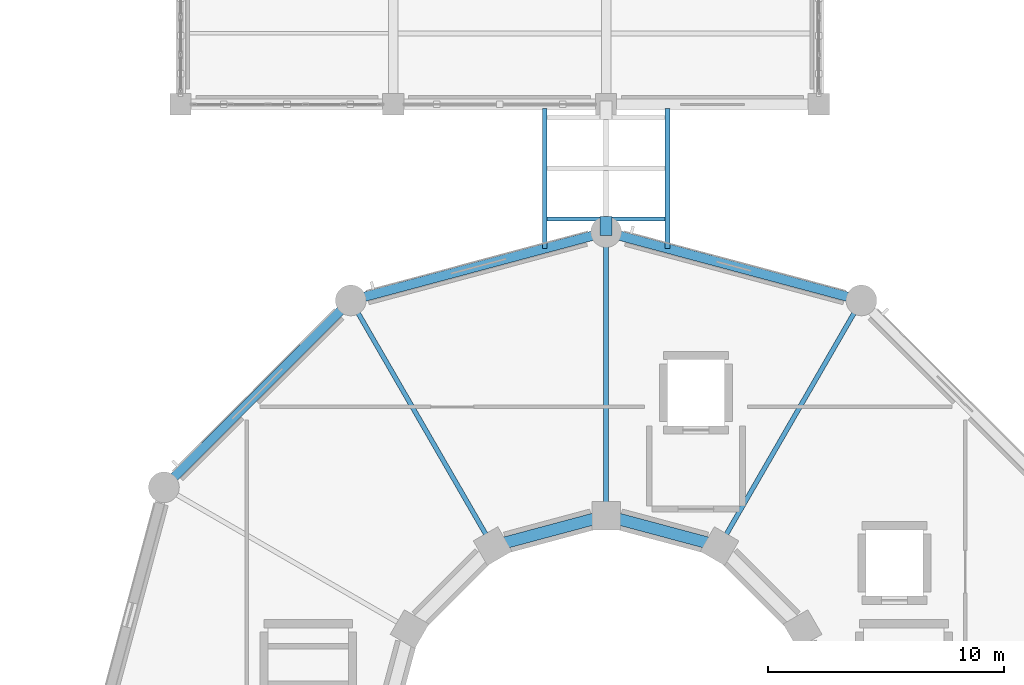
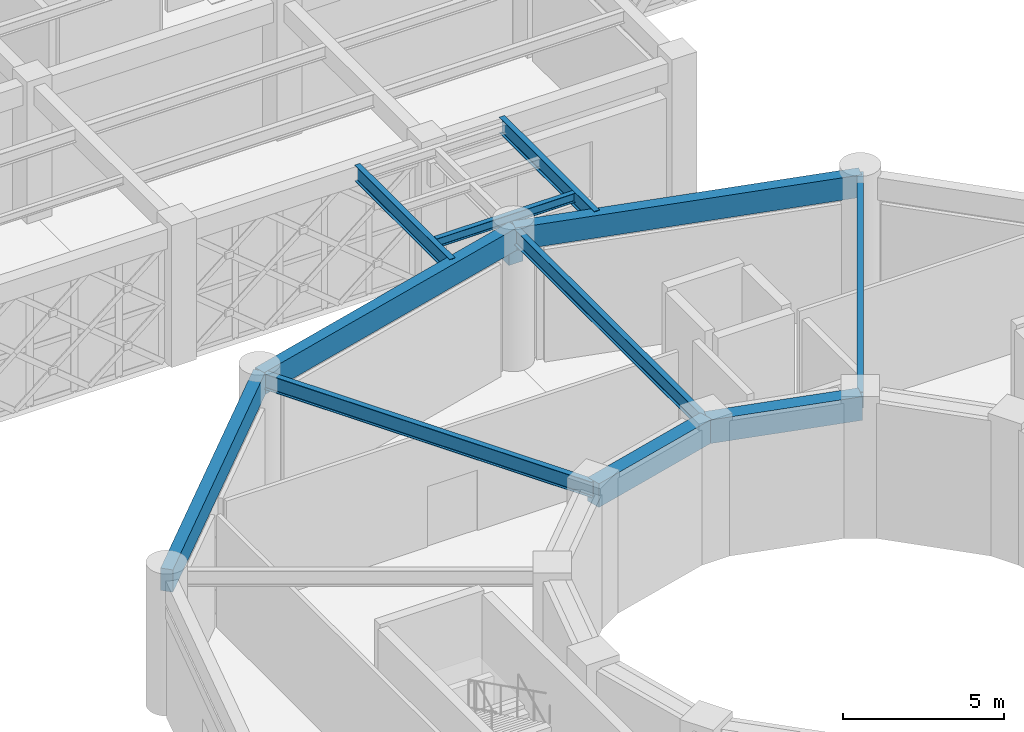
# One storey, part 73 of 166: 12 beams.
"""IFC4 building model written with IfcOpenShell, lengths in metres."""

import ifcopenshell
import ifcopenshell.guid

model = None  # the IFC model being written
_history = None  # IfcOwnerHistory: only IFC2X3 demands one
_inside = {}  # id of a spatial element -> (the spatial element, [elements in it])
_under = {}  # id of a project, library or spatial element -> (it, [spatial elements below it])
_declared = {}  # id of a project -> (the project, [libraries it declares])
_typed = {}  # id of a type object -> (the type object, [elements of that type])
_made_of = {}  # id of a material, layer set ... -> (it, [elements and type objects made of it])


def new_model(schema):
    """Start an empty IFC model of exactly this schema.

    Asked for "IFC4X3", IfcOpenShell would pick the latest addendum, in which some entities
    have other attributes; the version numbers below select the first issue.
    IFC2X3 requires an IfcOwnerHistory on every rooted entity: one is made here for all.
    """
    global model, _history
    if schema == "IFC4X3":
        model = ifcopenshell.file(schema_version=(4, 3, 0, 0))
    else:
        model = ifcopenshell.file(schema=schema)
    _inside.clear()
    _under.clear()
    _declared.clear()
    _typed.clear()
    _made_of.clear()
    _history = None
    if model.schema == "IFC2X3":
        org = make("IfcOrganization", Name="unknown")
        user = make(
            "IfcPersonAndOrganization",
            ThePerson=make("IfcPerson", FamilyName="unknown"),
            TheOrganization=org,
        )
        app = make(
            "IfcApplication",
            ApplicationDeveloper=org,
            Version="unknown",
            ApplicationFullName="unknown",
            ApplicationIdentifier="unknown",
        )
        _history = make(
            "IfcOwnerHistory",
            OwningUser=user,
            OwningApplication=app,
            ChangeAction="ADDED",
            CreationDate=0,
        )
    return model


def make(cls, **values):
    """One entity of the class cls with the attributes given. An attribute that is None is left unset."""
    return model.create_entity(
        cls, **{name: value for name, value in values.items() if value is not None}
    )


def rooted(cls, **values):
    """An entity with a GlobalId (a new one), such as an element, a storey or a relation."""
    return make(cls, GlobalId=ifcopenshell.guid.new(), OwnerHistory=_history, **values)


def si_unit(unit_type, name, prefix=None):
    """IfcSIUnit, for example si_unit("LENGTHUNIT", "METRE", prefix="MILLI")."""
    return make("IfcSIUnit", UnitType=unit_type, Prefix=prefix, Name=name)


def assignment(units):
    """IfcUnitAssignment: the units of a project."""
    return None if units is None else make("IfcUnitAssignment", Units=units)


def point(xyz):
    """IfcCartesianPoint."""
    return None if xyz is None else make("IfcCartesianPoint", Coordinates=xyz)


def direction(xyz):
    """IfcDirection."""
    return None if xyz is None else make("IfcDirection", DirectionRatios=xyz)


def frame(location, z_axis=None, x_axis=None):
    """IfcAxis2Placement3D, a coordinate frame: its origin and axes. An axis left out is left unset."""
    return make(
        "IfcAxis2Placement3D",
        Location=point(location),
        Axis=direction(z_axis),
        RefDirection=direction(x_axis),
    )


def frame_2d(location, x_axis=None):
    """IfcAxis2Placement2D, a coordinate frame in the plane: its origin and x axis."""
    return make(
        "IfcAxis2Placement2D", Location=point(location), RefDirection=direction(x_axis)
    )


def origin():
    """The frame at (0, 0, 0) with its axes left unset."""
    return frame((0.0, 0.0, 0.0))


def origin_2d():
    """The frame at (0, 0) in the plane with its x axis left unset."""
    return frame_2d((0.0, 0.0))


def place(relative_to, where):
    """IfcLocalPlacement: puts the frame where relative to a parent placement (None: the world)."""
    return make(
        "IfcLocalPlacement", PlacementRelTo=relative_to, RelativePlacement=where
    )


def context(
    kind, dimensions, precision=None, world=None, true_north=None, identifier=None
):
    """IfcGeometricRepresentationContext, for example the 3D "Model" context."""
    return make(
        "IfcGeometricRepresentationContext",
        ContextIdentifier=identifier,
        ContextType=kind,
        CoordinateSpaceDimension=dimensions,
        Precision=precision,
        WorldCoordinateSystem=world,
        TrueNorth=true_north,
    )


def subcontext(parent, identifier, kind, view, scale=None):
    """IfcGeometricRepresentationSubContext, for example "Body" below "Model"."""
    return make(
        "IfcGeometricRepresentationSubContext",
        ContextIdentifier=identifier,
        ContextType=kind,
        ParentContext=parent,
        TargetScale=scale,
        TargetView=view,
    )


def project(units=None, contexts=None):
    """IfcProject with its units and contexts."""
    return rooted(
        "IfcProject",
        Name="project",
        RepresentationContexts=contexts,
        UnitsInContext=assignment(units),
    )


def spatial(cls, under=None, at=None, **own):
    """A site, building, storey or space (cls), placed at a placement, below another one or the project."""
    s = rooted(cls, ObjectPlacement=at, **own)
    if under is not None:
        _under.setdefault(under.id(), (under, []))[1].append(s)
    return s


def profile(cls, at=None, kind="AREA", **sizes):
    """A parametric profile (cls). Its sizes go by their IFC names, for example OverallWidth=200.0."""
    return make(cls, ProfileType=kind, Position=at, **sizes)


def rectangle(**sizes):
    """IfcRectangleProfileDef."""
    return profile("IfcRectangleProfileDef", **sizes)


def i_section(**sizes):
    """IfcIShapeProfileDef."""
    return profile("IfcIShapeProfileDef", **sizes)


def extrude(swept, where, along, depth):
    """IfcExtrudedAreaSolid: the profile swept, set in the frame where, extruded along a direction by depth."""
    return make(
        "IfcExtrudedAreaSolid",
        SweptArea=swept,
        Position=where,
        ExtrudedDirection=direction(along),
        Depth=depth,
    )


def shape(context_of_items, identifier, shape_type, items):
    """IfcShapeRepresentation: the items that make up one representation, for example the "Body"."""
    return make(
        "IfcShapeRepresentation",
        ContextOfItems=context_of_items,
        RepresentationIdentifier=identifier,
        RepresentationType=shape_type,
        Items=items,
    )


def material(Name=None, Category=None):
    """IfcMaterial."""
    return make("IfcMaterial", Name=Name, Category=Category)


def material_profile(
    of_material, cross_section, Name=None, Category=None, Priority=None
):
    """IfcMaterialProfile: a cross section and its material."""
    return make(
        "IfcMaterialProfile",
        Name=Name,
        Material=of_material,
        Profile=cross_section,
        Priority=Priority,
        Category=Category,
    )


def profile_set(profiles, Name=None, composite=None):
    """IfcMaterialProfileSet."""
    return make(
        "IfcMaterialProfileSet",
        Name=Name,
        MaterialProfiles=profiles,
        CompositeProfile=composite,
    )


def made_of(thing, what):
    """Note that an element or type object is made of a material, layer set ...; save() writes the relation."""
    if what is not None:
        _made_of.setdefault(what.id(), (what, []))[1].append(thing)
    return thing


def type_object(cls, material=None, **own):
    """A type object (cls), such as IfcWallType, which elements share."""
    return made_of(rooted(cls, **own), material)


def element(
    cls,
    number,
    at=None,
    inside=None,
    cuts=None,
    type_object=None,
    material=None,
    context=None,
    identifier="Body",
    shape_type=None,
    held_by="IfcProductDefinitionShape",
    body=None,
    shapes=None,
    **own,
):
    """One element of the class cls, such as IfcWall. Its Tag is "e" and its number.

    at: its placement. inside: the storey or other place that contains it. cuts: it is an
    opening in that element (IfcRelVoidsElement). A single representation is given by context,
    identifier, shape_type and body (its items); several are given by shapes. held_by: the class
    of the entity that holds the representations. save() writes the other relations.
    """
    e = rooted(cls, Tag="e%d" % number, ObjectPlacement=at, **own)
    if body is not None:
        shapes = [shape(context, identifier, shape_type, body)]
    if shapes is not None:
        e.Representation = make(held_by, Representations=shapes)
    if inside is not None:
        _inside.setdefault(inside.id(), (inside, []))[1].append(e)
    if cuts is not None:
        rooted(
            "IfcRelVoidsElement", RelatingBuildingElement=cuts, RelatedOpeningElement=e
        )
    if type_object is not None:
        _typed.setdefault(type_object.id(), (type_object, []))[1].append(e)
    return made_of(e, material)


def aggregate(whole, parts):
    """IfcRelAggregates: a whole, such as a stair, and the parts it consists of."""
    return rooted("IfcRelAggregates", RelatingObject=whole, RelatedObjects=parts)


def save(model, path):
    """Write the relations noted so far, then the file.

    IfcRelAggregates (storeys below a building ...), IfcRelContainedInSpatialStructure (elements
    in a storey), IfcRelDefinesByType, IfcRelAssociatesMaterial and IfcRelDeclares: one each for
    every whole, place, type object, material and project.
    """
    for whole, parts in _under.values():
        aggregate(whole, parts)
    for where, things in _inside.values():
        rooted(
            "IfcRelContainedInSpatialStructure",
            RelatedElements=things,
            RelatingStructure=where,
        )
    for kind, things in _typed.values():
        rooted("IfcRelDefinesByType", RelatedObjects=things, RelatingType=kind)
    for what, things in _made_of.values():
        rooted("IfcRelAssociatesMaterial", RelatedObjects=things, RelatingMaterial=what)
    for by, libraries in _declared.values():
        rooted("IfcRelDeclares", RelatingContext=by, RelatedDefinitions=libraries)
    model.write(path)


model = new_model("IFC4")

# Units and contexts
model_context = context("Model", 3, precision=1e-05, world=origin(), true_north=direction((0.0, 1.0)))
body_context = subcontext(model_context, "Body", "Model", "MODEL_VIEW")
ifc_project = project(units=[si_unit("LENGTHUNIT", "METRE"), si_unit("AREAUNIT", "SQUARE_METRE"), si_unit("VOLUMEUNIT", "CUBIC_METRE"), si_unit("PLANEANGLEUNIT", "RADIAN"), si_unit("MASSUNIT", "GRAM", prefix="KILO")], contexts=[model_context])

# Site, building, storey
site_placement = place(None, origin())
site = spatial("IfcSite", under=ifc_project, at=site_placement, CompositionType="ELEMENT")
building_placement = place(site_placement, origin())
building = spatial("IfcBuilding", under=site, at=building_placement, Name="Haizhuo Lancet Aquarium", CompositionType="ELEMENT")
storey_placement = place(building_placement, frame((0.0, 0.0, 5.39990234375)))
storey = spatial("IfcBuildingStorey", under=building, at=storey_placement, Name="L01", CompositionType="ELEMENT", Elevation=5.39990234375)

# Beams
ifc_material_1 = material(Name="Concrete C40/50", Category="concrete")
ifc_material_profile_1 = material_profile(ifc_material_1, rectangle(XDim=0.5, YDim=0.89990234375, at=origin_2d()), Name="RC-BM 500x900")
ifc_profile_set_1 = profile_set([ifc_material_profile_1], Name="Concrete C40/50")
beam_type_1 = type_object("IfcBeamType", Name="BM-RC-500x900", PredefinedType="BEAM", material=ifc_profile_set_1)
for number, where, z_axis, x_axis, name in (
    (1, (4.800048828125, 8.31396484375, 4.690185546875), (-0.965927657214, 0.258812211902, 0.0), (-0.258812211902, -0.965927657214, 0.0), "L01 tank ring beam 3"),
    (2, (0.0, 9.60009765625, 4.690185546875), (-0.965927657214, -0.258812211902, 0.0), (0.258812211902, -0.965927657214, 0.0), "L01 tank ring beam 4"),
):
    element("IfcBeam", number, at=place(storey_placement, frame(where, z_axis=z_axis, x_axis=x_axis)), inside=storey, type_object=beam_type_1, Name=name, PredefinedType="BEAM", context=body_context, shape_type="SweptSolid", body=[
        extrude(rectangle(XDim=0.5, YDim=0.89990234375, at=origin_2d()), origin(), (0.0, 0.0, 1.0), 4.969482421875),
    ])
beam_1_placement = place(storey_placement, frame((0.0, 21.449951171875, 4.205078125), z_axis=(0.0, 1.0, 0.0), x_axis=(-1.0, 0.0, 0.0)))
element("IfcBeam", 3, at=beam_1_placement, inside=storey, type_object=beam_type_1, Name="Reinforced concrete bridge bearing corbel SB-03 1S", PredefinedType="BEAM", context=body_context, shape_type="SweptSolid", body=[
    extrude(rectangle(XDim=0.5, YDim=0.89990234375, at=origin_2d()), origin(), (0.0, 0.0, 1.0), 0.800048828125),
])
ifc_material_2 = material(Name="Steel S355", Category="steel")
ifc_material_profile_2 = material_profile(ifc_material_2, i_section(OverallWidth=0.199951171875, OverallDepth=0.60009765625, WebThickness=0.010986328125, FlangeThickness=0.01708984375, FilletRadius=0.02197265625, at=origin_2d()), Name="HN 600x200x11x17")
ifc_profile_set_2 = profile_set([ifc_material_profile_2], Name="Steel S355")
beam_type_2 = type_object("IfcBeamType", Name="BM-ST-HN600", PredefinedType="BEAM", material=ifc_profile_set_2)
beam_2_placement = place(storey_placement, frame((4.800048828125, 8.31396484375, 4.840087890625), z_axis=(0.500007758305, 0.866020924479, 0.0), x_axis=(-0.866020924479, 0.500007758305, 0.0)))
element("IfcBeam", 4, at=beam_2_placement, inside=storey, type_object=beam_type_2, Name="L01 radial gallery girder 3", PredefinedType="BEAM", context=body_context, shape_type="SweptSolid", body=[
    extrude(i_section(OverallWidth=0.199951171875, OverallDepth=0.60009765625, WebThickness=0.010986328125, FlangeThickness=0.01708984375, FilletRadius=0.02197265625, at=origin_2d()), origin(), (0.0, 0.0, 1.0), 11.999755859375),
])
beam_3_placement = place(storey_placement, frame((0.0, 9.60009765625, 4.840087890625), z_axis=(0.0, 1.0, 0.0), x_axis=(-1.0, 0.0, 0.0)))
element("IfcBeam", 5, at=beam_3_placement, inside=storey, type_object=beam_type_2, Name="L01 radial gallery girder 4", PredefinedType="BEAM", context=body_context, shape_type="SweptSolid", body=[
    extrude(i_section(OverallWidth=0.199951171875, OverallDepth=0.60009765625, WebThickness=0.010986328125, FlangeThickness=0.01708984375, FilletRadius=0.02197265625, at=origin_2d()), origin(), (0.0, 0.0, 1.0), 12.0),
])
beam_4_placement = place(storey_placement, frame((-4.800048828125, 8.31396484375, 4.840087890625), z_axis=(-0.500007758305, 0.866020924479, 0.0), x_axis=(-0.866020924479, -0.500007758305, 0.0)))
element("IfcBeam", 6, at=beam_4_placement, inside=storey, type_object=beam_type_2, Name="L01 radial gallery girder 5", PredefinedType="BEAM", context=body_context, shape_type="SweptSolid", body=[
    extrude(i_section(OverallWidth=0.199951171875, OverallDepth=0.60009765625, WebThickness=0.010986328125, FlangeThickness=0.01708984375, FilletRadius=0.02197265625, at=origin_2d()), origin(), (0.0, 0.0, 1.0), 11.999755859375),
])
for number, where, z_axis, x_axis, name in (
    (7, (-2.60009765625, 20.903076171875, 4.880126953125), (0.0, 1.0, 0.0), (-1.0, 0.0, 0.0), "Glazed bridge edge girder SB-03 W"),
    (8, (2.60009765625, 20.903076171875, 4.880126953125), (0.0, 1.0, 0.0), (-1.0, 0.0, 0.0), "Glazed bridge edge girder SB-03 E"),
):
    element("IfcBeam", number, at=place(storey_placement, frame(where, z_axis=z_axis, x_axis=x_axis)), inside=storey, type_object=beam_type_2, Name=name, PredefinedType="BEAM", context=body_context, shape_type="SweptSolid", body=[
        extrude(i_section(OverallWidth=0.199951171875, OverallDepth=0.60009765625, WebThickness=0.010986328125, FlangeThickness=0.01708984375, FilletRadius=0.02197265625, at=origin_2d()), origin(), (0.0, 0.0, 1.0), 5.9169921875),
    ])
ifc_material_profile_3 = material_profile(ifc_material_2, i_section(OverallWidth=0.175048828125, OverallDepth=0.35009765625, WebThickness=0.007080078125, FlangeThickness=0.010986328125, FilletRadius=0.013916015625, at=origin_2d()), Name="HN 350x175x7x11")
ifc_profile_set_3 = profile_set([ifc_material_profile_3], Name="Steel S355")
beam_type_3 = type_object("IfcBeamType", Name="JST-ST-HN350", PredefinedType="JOIST", material=ifc_profile_set_3)
beam_5_placement = place(storey_placement, frame((-2.489990234375, 22.14990234375, 5.005126953125), z_axis=(1.0, 0.0, 0.0), x_axis=(0.0, 1.0, 0.0)))
element("IfcBeam", 9, at=beam_5_placement, inside=storey, type_object=beam_type_3, Name="Glazed bridge floor cross joist SB-03 S", PredefinedType="JOIST", context=body_context, shape_type="SweptSolid", body=[
    extrude(i_section(OverallWidth=0.175048828125, OverallDepth=0.35009765625, WebThickness=0.007080078125, FlangeThickness=0.010986328125, FilletRadius=0.013916015625, at=origin_2d()), origin(), (0.0, 0.0, 1.0), 4.97998046875),
])
ifc_material_profile_4 = material_profile(ifc_material_1, rectangle(XDim=0.39990234375, YDim=0.85009765625, at=origin_2d()), Name="RC-SP 400x850")
ifc_profile_set_4 = profile_set([ifc_material_profile_4], Name="Concrete C40/50")
beam_type_4 = type_object("IfcBeamType", Name="SPN-RC-400x850", PredefinedType="SPANDREL", material=ifc_profile_set_4)
for number, where, z_axis, x_axis, name in (
    (10, (10.800048828125, 18.7060546875, 4.715087890625), (-0.965921832664, 0.258833949056, 0.0), (-0.258833949056, -0.965921832664, 0.0), "L01 drum perimeter spandrel 3"),
    (11, (0.0, 21.60009765625, 4.715087890625), (-0.965921832664, -0.258833949056, 0.0), (0.258833949056, -0.965921832664, 0.0), "L01 drum perimeter spandrel 4"),
):
    element("IfcBeam", number, at=place(storey_placement, frame(where, z_axis=z_axis, x_axis=x_axis)), inside=storey, type_object=beam_type_4, Name=name, PredefinedType="SPANDREL", context=body_context, shape_type="SweptSolid", body=[
        extrude(rectangle(XDim=0.39990234375, YDim=0.85009765625, at=origin_2d()), origin(), (0.0, 0.0, 1.0), 11.18115234375),
    ])
beam_6_placement = place(storey_placement, frame((-10.800048828125, 18.7060546875, 4.715087890625), z_axis=(-0.707106781187, -0.707106781187, 0.0), x_axis=(0.707106781187, -0.707106781187, 0.0)))
element("IfcBeam", 12, at=beam_6_placement, inside=storey, type_object=beam_type_4, Name="L01 drum perimeter spandrel 5", PredefinedType="SPANDREL", context=body_context, shape_type="SweptSolid", body=[
    extrude(rectangle(XDim=0.39990234375, YDim=0.85009765625, at=origin_2d()), origin(), (0.0, 0.0, 1.0), 11.1806640625),
])

save(model, "model.ifc")
